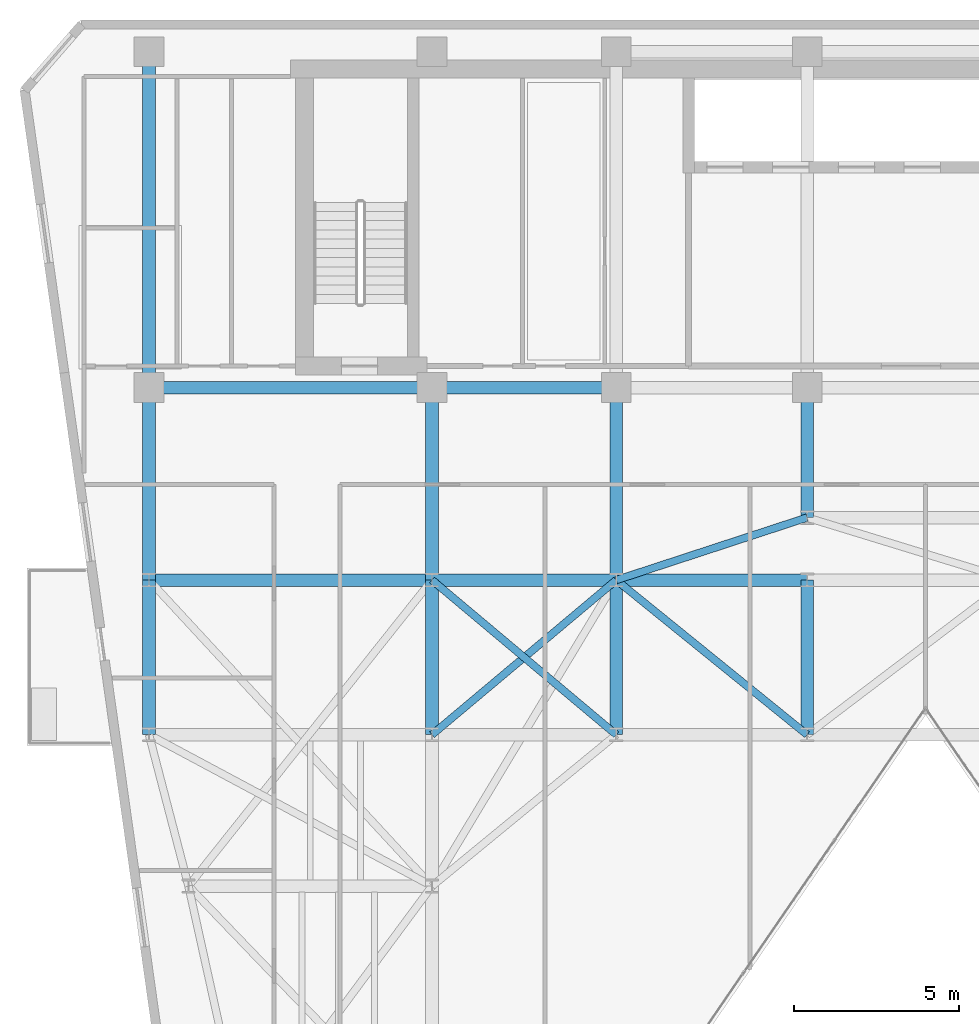
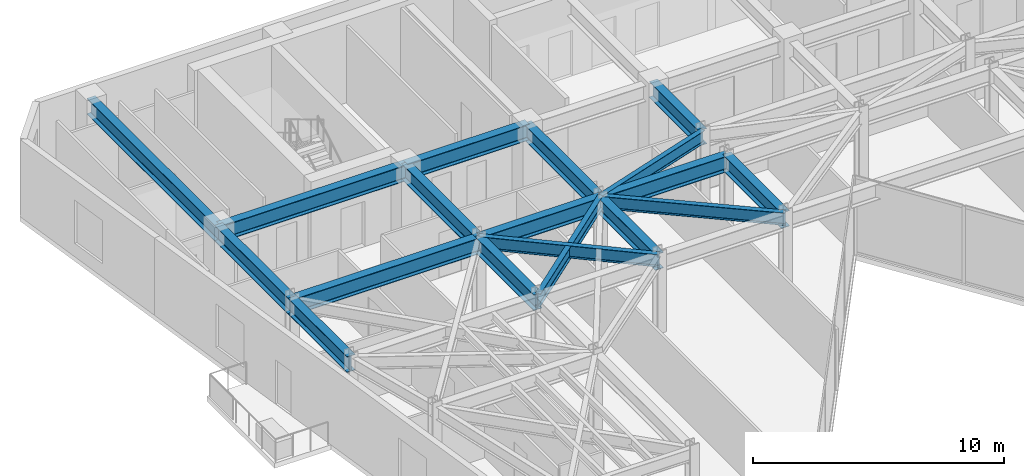
# One storey, part 7 of 21: 18 beams.
"""IFC4 building model written with IfcOpenShell, lengths in metres."""

from ifc_helpers import new_model, si_unit, direction, frame, origin, origin_2d, place, context, subcontext, project, spatial, i_section, extrude, material, material_profile, profile_set, type_object, element, save


model = new_model("IFC4")

# Units and contexts
model_context = context("Model", 3, precision=1e-05, world=origin(), true_north=direction((0.0, 1.0)))
body_context = subcontext(model_context, "Body", "Model", "MODEL_VIEW")
ifc_project = project(units=[si_unit("LENGTHUNIT", "METRE"), si_unit("AREAUNIT", "SQUARE_METRE"), si_unit("VOLUMEUNIT", "CUBIC_METRE"), si_unit("PLANEANGLEUNIT", "RADIAN"), si_unit("MASSUNIT", "GRAM", prefix="KILO")], contexts=[model_context])

# Site, building, storey
site_placement = place(None, origin())
site = spatial("IfcSite", under=ifc_project, at=site_placement, CompositionType="ELEMENT")
building_placement = place(site_placement, origin())
building = spatial("IfcBuilding", under=site, at=building_placement, Name="Kravanh Interchange Tower", CompositionType="ELEMENT")
storey_placement = place(building_placement, frame((0.0, 0.0, 192.5)))
storey = spatial("IfcBuildingStorey", under=building, at=storey_placement, Name="L46", CompositionType="ELEMENT", Elevation=192.5)

# Beams
ifc_material_1 = material(Name="Structural Steel S355", Category="steel")
ifc_material_profile_1 = material_profile(ifc_material_1, i_section(OverallWidth=0.381103515625, OverallDepth=0.77294921875, WebThickness=0.0166015625, FlangeThickness=0.027099609375, FilletRadius=0.02490234375, at=origin_2d()), Name="W30X173")
ifc_profile_set_1 = profile_set([ifc_material_profile_1], Name="Structural Steel S355")
beam_type_1 = type_object("IfcBeamType", Name="Floor Beam W30X173 Structural Steel S355", PredefinedType="BEAM", material=ifc_profile_set_1)
beam_1_placement = place(storey_placement, frame((38.60009765625, 37.35009765625, 3.368408203125), z_axis=(0.0, -1.0, 0.0), x_axis=(1.0, 0.0, 0.0)))
element("IfcBeam", 1, at=beam_1_placement, inside=storey, type_object=beam_type_1, Name="L46 Primary Floor Girder 16", PredefinedType="BEAM", context=body_context, shape_type="SweptSolid", body=[
    extrude(i_section(OverallWidth=0.381103515625, OverallDepth=0.77294921875, WebThickness=0.0166015625, FlangeThickness=0.027099609375, FilletRadius=0.02490234375, at=origin_2d()), origin(), (0.0, 0.0, 1.0), 3.9501953125),
])
beam_2_placement = place(storey_placement, frame((32.800048828125, 37.35009765625, 3.368408203125), z_axis=(-1.0, 0.0, 0.0), x_axis=(0.0, -1.0, 0.0)))
element("IfcBeam", 2, at=beam_2_placement, inside=storey, type_object=beam_type_1, Name="L46 Primary Floor Girder 20", PredefinedType="BEAM", context=body_context, shape_type="SweptSolid", body=[
    extrude(i_section(OverallWidth=0.381103515625, OverallDepth=0.77294921875, WebThickness=0.0166015625, FlangeThickness=0.027099609375, FilletRadius=0.02490234375, at=origin_2d()), origin(), (0.0, 0.0, 1.0), 5.60009765625),
])
for number, where, z_axis, x_axis, name in (
    (3, (32.800048828125, 37.35009765625, 3.368408203125), (0.0, -1.0, 0.0), (1.0, 0.0, 0.0), "L46 Primary Floor Girder 21"),
    (4, (27.199951171875, 37.35009765625, 3.368408203125), (0.0, -1.0, 0.0), (1.0, 0.0, 0.0), "L46 Primary Floor Girder 24"),
):
    element("IfcBeam", number, at=place(storey_placement, frame(where, z_axis=z_axis, x_axis=x_axis)), inside=storey, type_object=beam_type_1, Name=name, PredefinedType="BEAM", context=body_context, shape_type="SweptSolid", body=[
        extrude(i_section(OverallWidth=0.381103515625, OverallDepth=0.77294921875, WebThickness=0.0166015625, FlangeThickness=0.027099609375, FilletRadius=0.02490234375, at=origin_2d()), origin(), (0.0, 0.0, 1.0), 5.85009765625),
    ])
beam_3_placement = place(storey_placement, frame((27.199951171875, 37.35009765625, 3.368408203125), z_axis=(-1.0, 0.0, 0.0), x_axis=(0.0, -1.0, 0.0)))
element("IfcBeam", 5, at=beam_3_placement, inside=storey, type_object=beam_type_1, Name="L46 Primary Floor Girder 25", PredefinedType="BEAM", context=body_context, shape_type="SweptSolid", body=[
    extrude(i_section(OverallWidth=0.381103515625, OverallDepth=0.77294921875, WebThickness=0.0166015625, FlangeThickness=0.027099609375, FilletRadius=0.02490234375, at=origin_2d()), origin(), (0.0, 0.0, 1.0), 8.599853515625),
])
beam_4_placement = place(storey_placement, frame((18.60009765625, 37.35009765625, 3.368408203125), z_axis=(0.0, -1.0, 0.0), x_axis=(1.0, 0.0, 0.0)))
element("IfcBeam", 6, at=beam_4_placement, inside=storey, type_object=beam_type_1, Name="L46 Primary Floor Girder 28", PredefinedType="BEAM", context=body_context, shape_type="SweptSolid", body=[
    extrude(i_section(OverallWidth=0.381103515625, OverallDepth=0.77294921875, WebThickness=0.0166015625, FlangeThickness=0.027099609375, FilletRadius=0.02490234375, at=origin_2d()), origin(), (0.0, 0.0, 1.0), 5.85009765625),
])
beam_5_placement = place(storey_placement, frame((18.60009765625, 37.35009765625, 3.368408203125), z_axis=(0.0, 1.0, 0.0), x_axis=(-1.0, 0.0, 0.0)))
element("IfcBeam", 7, at=beam_5_placement, inside=storey, type_object=beam_type_1, Name="L46 Primary Floor Girder 29", PredefinedType="BEAM", context=body_context, shape_type="SweptSolid", body=[
    extrude(i_section(OverallWidth=0.381103515625, OverallDepth=0.77294921875, WebThickness=0.0166015625, FlangeThickness=0.027099609375, FilletRadius=0.02490234375, at=origin_2d()), origin(), (0.0, 0.0, 1.0), 10.199951171875),
])
for number, where, z_axis, x_axis, name in (
    (8, (18.60009765625, 26.800048828125, 3.368408203125), (0.0, 1.0, 0.0), (-1.0, 0.0, 0.0), "L46 Primary Floor Girder 33"),
    (9, (27.199951171875, 26.800048828125, 3.368408203125), (0.0, 1.0, 0.0), (-1.0, 0.0, 0.0), "L46 Primary Floor Girder 38"),
    (10, (32.800048828125, 26.800048828125, 3.368408203125), (0.0, 1.0, 0.0), (-1.0, 0.0, 0.0), "L46 Primary Floor Girder 41"),
    (11, (38.60009765625, 26.800048828125, 3.368408203125), (0.0, 1.0, 0.0), (-1.0, 0.0, 0.0), "L46 Primary Floor Girder 45"),
):
    element("IfcBeam", number, at=place(storey_placement, frame(where, z_axis=z_axis, x_axis=x_axis)), inside=storey, type_object=beam_type_1, Name=name, PredefinedType="BEAM", context=body_context, shape_type="SweptSolid", body=[
        extrude(i_section(OverallWidth=0.381103515625, OverallDepth=0.77294921875, WebThickness=0.0166015625, FlangeThickness=0.027099609375, FilletRadius=0.02490234375, at=origin_2d()), origin(), (0.0, 0.0, 1.0), 4.699951171875),
    ])
beam_6_placement = place(storey_placement, frame((18.60009765625, 31.5, 3.368408203125), z_axis=(1.0, 0.0, 0.0), x_axis=(0.0, 1.0, 0.0)))
element("IfcBeam", 12, at=beam_6_placement, inside=storey, type_object=beam_type_1, Name="L46 Primary Floor Girder 61", PredefinedType="BEAM", context=body_context, shape_type="SweptSolid", body=[
    extrude(i_section(OverallWidth=0.381103515625, OverallDepth=0.77294921875, WebThickness=0.0166015625, FlangeThickness=0.027099609375, FilletRadius=0.02490234375, at=origin_2d()), origin(), (0.0, 0.0, 1.0), 8.599853515625),
])
beam_7_placement = place(storey_placement, frame((27.199951171875, 31.5, 3.368408203125), z_axis=(1.0, 0.0, 0.0), x_axis=(0.0, 1.0, 0.0)))
element("IfcBeam", 13, at=beam_7_placement, inside=storey, type_object=beam_type_1, Name="L46 Primary Floor Girder 64", PredefinedType="BEAM", context=body_context, shape_type="SweptSolid", body=[
    extrude(i_section(OverallWidth=0.381103515625, OverallDepth=0.77294921875, WebThickness=0.0166015625, FlangeThickness=0.027099609375, FilletRadius=0.02490234375, at=origin_2d()), origin(), (0.0, 0.0, 1.0), 5.60009765625),
])
beam_8_placement = place(storey_placement, frame((32.800048828125, 31.5, 3.368408203125), z_axis=(1.0, 0.0, 0.0), x_axis=(0.0, 1.0, 0.0)))
element("IfcBeam", 14, at=beam_8_placement, inside=storey, type_object=beam_type_1, Name="L46 Primary Floor Girder 67", PredefinedType="BEAM", context=body_context, shape_type="SweptSolid", body=[
    extrude(i_section(OverallWidth=0.381103515625, OverallDepth=0.77294921875, WebThickness=0.0166015625, FlangeThickness=0.027099609375, FilletRadius=0.02490234375, at=origin_2d()), origin(), (0.0, 0.0, 1.0), 5.800048828125),
])
ifc_material_2 = material(Name="Structural Steel S355", Category="steel")
ifc_material_profile_2 = material_profile(ifc_material_2, i_section(OverallWidth=0.22802734375, OverallDepth=0.60791015625, WebThickness=0.01123046875, FlangeThickness=0.017333984375, FilletRadius=0.02197265625, at=origin_2d()), Name="W24X76")
ifc_profile_set_2 = profile_set([ifc_material_profile_2], Name="Structural Steel S355")
beam_type_2 = type_object("IfcBeamType", Name="Floor Spandrel W24X76 Structural Steel S355", PredefinedType="SPANDREL", material=ifc_profile_set_2)
for number, where, z_axis, x_axis, name in (
    (15, (27.199951171875, 26.800048828125, 3.450927734375), (0.765983062929, 0.642860752657, 0.0), (-0.642860752657, 0.765983062929, 0.0), "L46 Perimeter Spandrel 40"),
    (16, (32.800048828125, 26.800048828125, 3.450927734375), (-0.765983062929, 0.642860752657, 0.0), (-0.642860752657, -0.765983062929, 0.0), "L46 Perimeter Spandrel 44"),
):
    element("IfcBeam", number, at=place(storey_placement, frame(where, z_axis=z_axis, x_axis=x_axis)), inside=storey, type_object=beam_type_2, Name=name, PredefinedType="SPANDREL", context=body_context, shape_type="SweptSolid", body=[
        extrude(i_section(OverallWidth=0.22802734375, OverallDepth=0.60791015625, WebThickness=0.01123046875, FlangeThickness=0.017333984375, FilletRadius=0.02197265625, at=origin_2d()), origin(), (0.0, 0.0, 1.0), 7.31103515625),
    ])
beam_9_placement = place(storey_placement, frame((38.60009765625, 26.800048828125, 3.450927734375), z_axis=(-0.776938619557, 0.629576350764, 0.0), x_axis=(-0.629576350764, -0.776938619557, 0.0)))
element("IfcBeam", 17, at=beam_9_placement, inside=storey, type_object=beam_type_2, Name="L46 Perimeter Spandrel 46", PredefinedType="SPANDREL", context=body_context, shape_type="SweptSolid", body=[
    extrude(i_section(OverallWidth=0.22802734375, OverallDepth=0.60791015625, WebThickness=0.01123046875, FlangeThickness=0.017333984375, FilletRadius=0.02197265625, at=origin_2d()), origin(), (0.0, 0.0, 1.0), 7.46533203125),
])
beam_10_placement = place(storey_placement, frame((32.800048828125, 31.5, 3.450927734375), z_axis=(0.950314536578, 0.31129131303, 0.0), x_axis=(-0.31129131303, 0.950314536578, 0.0)))
element("IfcBeam", 18, at=beam_10_placement, inside=storey, type_object=beam_type_2, Name="L46 Perimeter Spandrel 68", PredefinedType="SPANDREL", context=body_context, shape_type="SweptSolid", body=[
    extrude(i_section(OverallWidth=0.22802734375, OverallDepth=0.60791015625, WebThickness=0.01123046875, FlangeThickness=0.017333984375, FilletRadius=0.02197265625, at=origin_2d()), origin(), (0.0, 0.0, 1.0), 6.103271484375),
])

save(model, "model.ifc")
